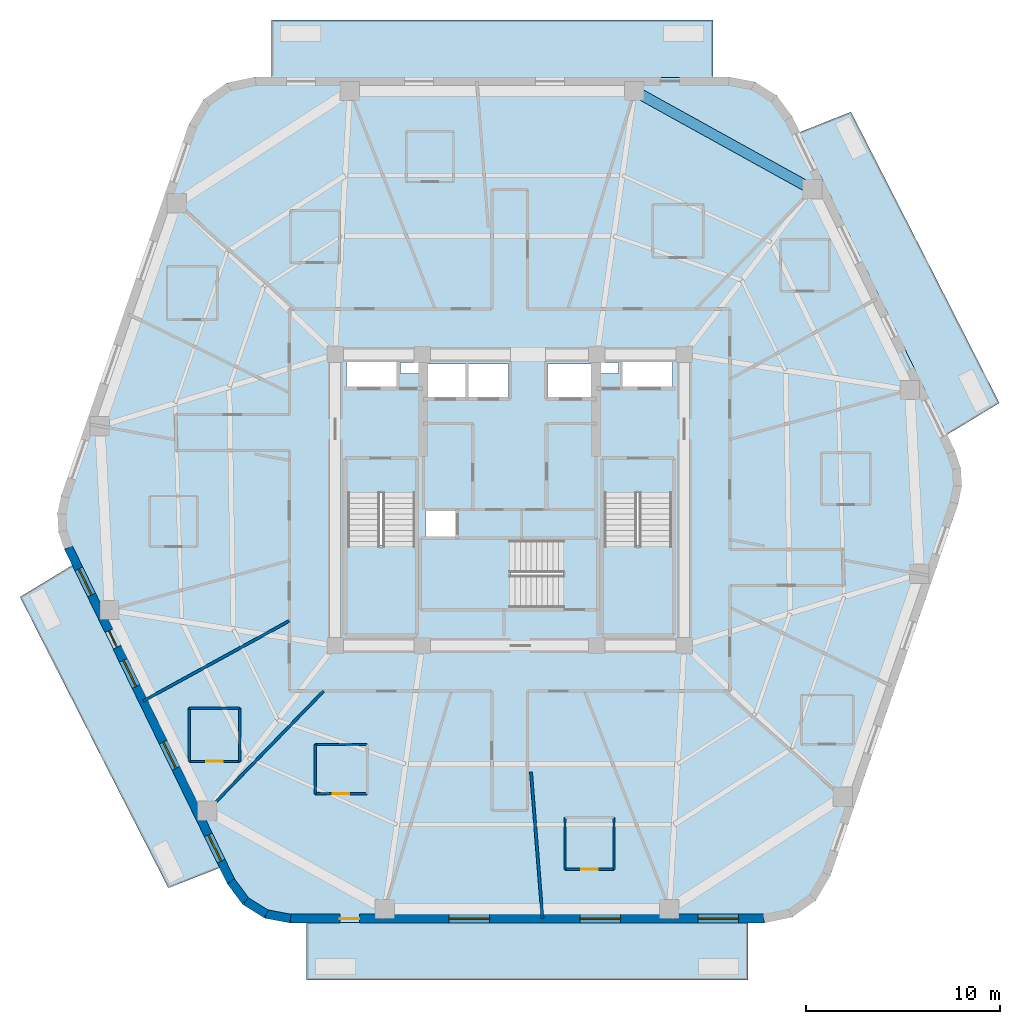
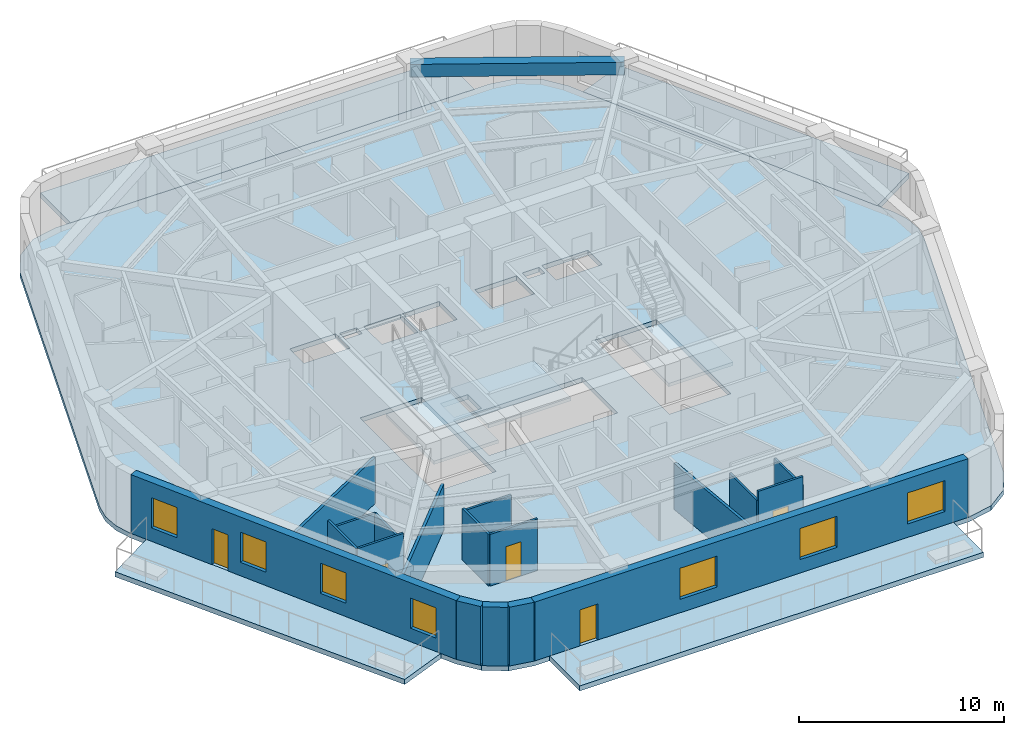
# One storey, part 2 of 10: 18 walls, 8 slabs, 7 windows, 5 doors, 1 beam, 12 openings, 3 elements without a shape of their own.
"""IFC4 building model written with IfcOpenShell, lengths in metres."""

from ifc_helpers import new_model, si_unit, direction, frame, frame_2d, origin, origin_2d, place, context, subcontext, project, spatial, polyline, rectangle, outline, extrude, material, layer, layer_set, material_profile, profile_set, type_object, element, fill, aggregate, save


model = new_model("IFC4")

# Units and contexts
model_context = context("Model", 3, precision=1e-05, world=origin(), true_north=direction((0.0, 1.0)))
body_context = subcontext(model_context, "Body", "Model", "MODEL_VIEW")
ifc_project = project(units=[si_unit("LENGTHUNIT", "METRE"), si_unit("AREAUNIT", "SQUARE_METRE"), si_unit("VOLUMEUNIT", "CUBIC_METRE"), si_unit("PLANEANGLEUNIT", "RADIAN"), si_unit("MASSUNIT", "GRAM", prefix="KILO")], contexts=[model_context])

# Site, building, storey
site_placement = place(None, origin())
site = spatial("IfcSite", under=ifc_project, at=site_placement, CompositionType="ELEMENT")
building_placement = place(site_placement, origin())
building = spatial("IfcBuilding", under=site, at=building_placement, Name="Kilnhurst Terrace Hotel", CompositionType="ELEMENT")
storey_placement = place(building_placement, frame((0.0, 0.0, 244.5)))
storey = spatial("IfcBuildingStorey", under=building, at=storey_placement, Name="L61", CompositionType="ELEMENT", Elevation=244.5)

# Beam
ifc_material_1 = material(Name="Concrete C50/60", Category="concrete")
ifc_material_profile = material_profile(ifc_material_1, rectangle(XDim=0.550048828125, YDim=0.75, at=origin_2d()), Name="RC550X750")
ifc_profile_set = profile_set([ifc_material_profile], Name="Concrete C50/60")
beam_type = type_object("IfcBeamType", Name="BM-SPN-550X750", PredefinedType="SPANDREL", material=ifc_profile_set)
beam_placement = place(storey_placement, frame((15.5869140625, 16.012939453125, 3.125), z_axis=(-0.874970333121, 0.484176534085, 0.0), x_axis=(-0.484176534085, -0.874970333121, 0.0)))
element("IfcBeam", 1, at=beam_placement, inside=storey, type_object=beam_type, Name="L61 Perimeter Spandrel Beam 6", PredefinedType="SPANDREL", context=body_context, shape_type="SweptSolid", body=[
    extrude(rectangle(XDim=0.550048828125, YDim=0.75, at=origin_2d()), origin(), (0.0, 0.0, 1.0), 10.465576171875),
])

# Slabs
ifc_layer_1 = layer(ifc_material_1, 0.300048828125, Name="Concrete C50/60")
ifc_layer_set_1 = layer_set([ifc_layer_1], Name="Concrete C50/60")
slab_type_1 = type_object("IfcSlabType", Name="SLB-BAL-300", PredefinedType="FLOOR", material=ifc_layer_set_1)
slab_1_placement = place(storey_placement, frame((0.0, 0.0, -0.300048828125)))
element("IfcSlab", 2, at=slab_1_placement, inside=storey, type_object=slab_type_1, Name="L61 Cantilevered Planted Terrace Slab BAL-L1A", PredefinedType="FLOOR", context=body_context, shape_type="SweptSolid", body=[
    extrude(outline(polyline([(21.440185546875, 12.465576171875), (25.237548828125, 5.0), (22.527587890625, 3.356201171875), (14.93505859375, 18.95068359375), (17.5888671875, 20.0), (21.440185546875, 12.465576171875)])), origin(), (0.0, 0.0, 1.0), 0.300048828125),
])
slab_2_placement = place(storey_placement, frame((0.0, 0.0, -0.300048828125)))
element("IfcSlab", 3, at=slab_2_placement, inside=storey, type_object=slab_type_1, Name="L61 Cantilevered Planted Terrace Slab BAL-L1B", PredefinedType="FLOOR", context=body_context, shape_type="SweptSolid", body=[
    extrude(outline(polyline([(-12.27490234375, 21.780029296875), (-12.27490234375, 24.739990234375), (10.46875, 24.739990234375), (10.46875, 21.780029296875), (-12.27490234375, 21.780029296875)])), origin(), (0.0, 0.0, 1.0), 0.300048828125),
])
slab_3_placement = place(storey_placement, frame((0.0, 0.0, -0.300048828125)))
element("IfcSlab", 4, at=slab_3_placement, inside=storey, type_object=slab_type_1, Name="L61 Cantilevered Planted Terrace Slab BAL-L2A", PredefinedType="FLOOR", context=body_context, shape_type="SweptSolid", body=[
    extrude(outline(polyline([(-25.237548828125, -5.0), (-22.527587890625, -3.356201171875), (-14.93505859375, -18.95068359375), (-17.5888671875, -20.0), (-21.440185546875, -12.465576171875), (-25.237548828125, -5.0)])), origin(), (0.0, 0.0, 1.0), 0.300048828125),
])
slab_4_placement = place(storey_placement, frame((0.0, 0.0, -0.300048828125)))
element("IfcSlab", 5, at=slab_4_placement, inside=storey, type_object=slab_type_1, Name="L61 Cantilevered Planted Terrace Slab BAL-L2B", PredefinedType="FLOOR", context=body_context, shape_type="SweptSolid", body=[
    extrude(outline(polyline([(12.27490234375, -21.780029296875), (12.27490234375, -24.739990234375), (-10.46875, -24.739990234375), (-10.46875, -21.780029296875), (12.27490234375, -21.780029296875)])), origin(), (0.0, 0.0, 1.0), 0.300048828125),
])
ifc_layer_2 = layer(ifc_material_1, 0.280029296875, Name="Concrete C50/60")
ifc_layer_set_2 = layer_set([ifc_layer_2], Name="Concrete C50/60")
slab_type_2 = type_object("IfcSlabType", Name="SLB-FLR-280", PredefinedType="FLOOR", material=ifc_layer_set_2)
slab_5_placement = place(storey_placement, frame((0.0, 0.0, -0.280029296875)))
element("IfcSlab", 6, at=slab_5_placement, inside=storey, type_object=slab_type_2, Name="L61 Structural Floor Slab", PredefinedType="FLOOR", context=body_context, shape_type="SweptSolid", body=[
    extrude(outline(polyline([(-14.555419921875, -19.77587890625), (-13.759765625, -20.845947265625), (-12.629150390625, -21.552978515625), (-11.318603515625, -21.800048828125), (13.124755859375, -21.800048828125), (14.5703125, -21.4970703125), (15.772705078125, -20.638916015625), (16.529296875, -19.370361328125), (23.1162109375, -0.208740234375), (23.302978515625, 0.710693359375), (23.24560546875, 1.6474609375), (22.948486328125, 2.537353515625), (14.555419921875, 19.77587890625), (13.759765625, 20.845947265625), (12.629150390625, 21.552978515625), (11.318603515625, 21.800048828125), (-13.124755859375, 21.800048828125), (-14.5703125, 21.4970703125), (-15.772705078125, 20.638916015625), (-16.529296875, 19.370361328125), (-23.1162109375, 0.208740234375), (-23.302978515625, -0.710693359375), (-23.24560546875, -1.6474609375), (-22.948486328125, -2.537353515625), (-14.555419921875, -19.77587890625)]), holes=[polyline([(-8.35009765625, 0.35498046875), (-4.8798828125, 0.35498046875), (-4.8798828125, -6.89990234375), (-8.35009765625, -6.89990234375), (-8.35009765625, 0.35498046875)]), polyline([(-2.800048828125, -1.89990234375), (-4.35009765625, -1.89990234375), (-4.35009765625, -0.550048828125), (-2.800048828125, -0.550048828125), (-2.800048828125, -1.89990234375)]), polyline([(-2.25, 5.25), (-4.300048828125, 5.25), (-4.300048828125, 7.0), (-2.25, 7.0), (-2.25, 5.25)]), polyline([(-2.1201171875, 5.25), (-2.1201171875, 7.0), (-0.050048828125, 7.0), (-0.050048828125, 5.25), (-2.1201171875, 5.25)]), polyline([(-8.39990234375, 5.75), (-8.39990234375, 7.14990234375), (-5.800048828125, 7.14990234375), (-5.800048828125, 5.75), (-8.39990234375, 5.75)]), polyline([(-4.659912109375, 6.52001953125), (-5.6201171875, 6.52001953125), (-5.6201171875, 7.080078125), (-4.659912109375, 7.080078125), (-4.659912109375, 6.52001953125)]), polyline([(2.7548828125, -5.550048828125), (-4.5, -5.550048828125), (-4.5, -2.080078125), (2.7548828125, -2.080078125), (2.7548828125, -5.550048828125)]), polyline([(8.35009765625, 0.35498046875), (8.35009765625, -6.89990234375), (4.8798828125, -6.89990234375), (4.8798828125, 0.35498046875), (8.35009765625, 0.35498046875)]), polyline([(4.300048828125, 5.25), (1.949951171875, 5.25), (1.949951171875, 7.0), (4.300048828125, 7.0), (4.300048828125, 5.25)]), polyline([(5.800048828125, 5.75), (5.800048828125, 7.14990234375), (8.39990234375, 7.14990234375), (8.39990234375, 5.75), (5.800048828125, 5.75)]), polyline([(4.659912109375, 6.52001953125), (4.659912109375, 7.080078125), (5.6201171875, 7.080078125), (5.6201171875, 6.52001953125), (4.659912109375, 6.52001953125)])]), origin(), (0.0, 0.0, 1.0), 0.280029296875),
])

# Stair, slab
stair_type = type_object("IfcStairType", Name="STR-CORE-1660", PredefinedType="HALF_TURN_STAIR", material=ifc_material_1)
stair_1_placement = place(storey_placement, origin())
stair_1 = element("IfcStair", 7, at=stair_1_placement, inside=storey, type_object=stair_type, Name="L61 ST-1", PredefinedType="HALF_TURN_STAIR")
ifc_layer_3 = layer(ifc_material_1, 0.199951171875, Name="Concrete C50/60")
ifc_layer_set_3 = layer_set([ifc_layer_3], Name="Concrete C50/60")
slab_type_3 = type_object("IfcSlabType", Name="SLB-ST-LND-200", PredefinedType="LANDING", material=ifc_layer_set_3)
slab_6_placement = place(storey_placement, frame((0.0, 0.0, 1.699951171875)))
slab_6 = element("IfcSlab", 8, at=slab_6_placement, type_object=slab_type_3, Name="ST-1 landing 1", PredefinedType="LANDING", context=body_context, shape_type="SweptSolid", body=[
    extrude(outline(polyline([(-8.429931640625, -2.330078125), (-4.800048828125, -2.330078125), (-4.800048828125, -6.97998046875), (-8.429931640625, -6.97998046875), (-8.429931640625, -2.330078125)])), origin(), (0.0, 0.0, 1.0), 0.199951171875),
])
aggregate(stair_1, [slab_6])

stair_2_placement = place(storey_placement, origin())
stair_2 = element("IfcStair", 9, at=stair_2_placement, inside=storey, type_object=stair_type, Name="L61 ST-2", PredefinedType="HALF_TURN_STAIR")
slab_7_placement = place(storey_placement, frame((0.0, 0.0, 1.699951171875)))
slab_7 = element("IfcSlab", 10, at=slab_7_placement, type_object=slab_type_3, Name="ST-2 landing 1", PredefinedType="LANDING", context=body_context, shape_type="SweptSolid", body=[
    extrude(outline(polyline([(4.800048828125, -2.330078125), (8.429931640625, -2.330078125), (8.429931640625, -6.97998046875), (4.800048828125, -6.97998046875), (4.800048828125, -2.330078125)])), origin(), (0.0, 0.0, 1.0), 0.199951171875),
])
aggregate(stair_2, [slab_7])

stair_3_placement = place(storey_placement, origin())
stair_3 = element("IfcStair", 11, at=stair_3_placement, inside=storey, type_object=stair_type, Name="L61 ST-3", PredefinedType="HALF_TURN_STAIR")
slab_8_placement = place(storey_placement, frame((0.0, 0.0, 1.699951171875)))
slab_8 = element("IfcSlab", 12, at=slab_8_placement, type_object=slab_type_3, Name="ST-3 landing 1", PredefinedType="LANDING", context=body_context, shape_type="SweptSolid", body=[
    extrude(outline(polyline([(0.070068359375, -2.0), (0.070068359375, -5.6298828125), (-4.580078125, -5.6298828125), (-4.580078125, -2.0), (0.070068359375, -2.0)])), origin(), (0.0, 0.0, 1.0), 0.199951171875),
])
aggregate(stair_3, [slab_8])

# Walls
ifc_material_2 = material(Name="Precast concrete C40/50", Category="concrete")
ifc_layer_4 = layer(ifc_material_2, 0.449951171875, Name="Precast concrete C40/50")
ifc_layer_set_4 = layer_set([ifc_layer_4], Name="Precast concrete C40/50")
wall_type_1 = type_object("IfcWallType", Name="WL-BRK-450", PredefinedType="SOLIDWALL", material=ifc_layer_set_4)
wall_1_placement = place(storey_placement, frame((-14.3623046875, -19.658447265625, 0.0), z_axis=(0.0, 0.0, 1.0), x_axis=(0.596642462792, -0.80250717853, 0.0)))
element("IfcWall", 13, at=wall_1_placement, inside=storey, type_object=wall_type_1, Name="L61 Rounded Corner Brick Wall C1.1", PredefinedType="SOLIDWALL", context=body_context, shape_type="SweptSolid", body=[
    extrude(rectangle(XDim=1.27001953125, YDim=0.449951171875, at=frame_2d((0.635009765625, 0.0))), origin(), (0.0, 0.0, 1.0), 3.5),
])
wall_2_placement = place(storey_placement, frame((-13.6044921875, -20.677734375, 0.0), z_axis=(0.0, 0.0, 1.0), x_axis=(0.847910404124, -0.53013955387, 0.0)))
element("IfcWall", 14, at=wall_2_placement, inside=storey, type_object=wall_type_1, Name="L61 Rounded Corner Brick Wall C1.2", PredefinedType="SOLIDWALL", context=body_context, shape_type="SweptSolid", body=[
    extrude(rectangle(XDim=1.24853515625, YDim=0.449951171875, at=frame_2d((0.624267578125, 0.0))), origin(), (0.0, 0.0, 1.0), 3.5),
])
wall_3_placement = place(storey_placement, frame((-12.5458984375, -21.339599609375, 0.0), z_axis=(0.0, 0.0, 1.0), x_axis=(0.982686750835, -0.18527479519, 0.0)))
element("IfcWall", 15, at=wall_3_placement, inside=storey, type_object=wall_type_1, Name="L61 Rounded Corner Brick Wall C1.3", PredefinedType="SOLIDWALL", context=body_context, shape_type="SweptSolid", body=[
    extrude(rectangle(XDim=1.270263671875, YDim=0.449951171875, at=frame_2d((0.63525390625, 0.0))), origin(), (0.0, 0.0, 1.0), 3.5),
])

# Wall, openings, door, windows
wall_4_placement = place(storey_placement, frame((-11.297607421875, -21.574951171875, 0.0), z_axis=(0.0, 0.0, 1.0), x_axis=(1.0, 0.0, 0.0)))
wall_4 = element("IfcWall", 16, at=wall_4_placement, inside=storey, type_object=wall_type_1, Name="L61 Exterior Brick Facade Wall F1", PredefinedType="SOLIDWALL", context=body_context, shape_type="SweptSolid", body=[
    extrude(rectangle(XDim=24.399169921875, YDim=0.449951171875, at=frame_2d((12.19970703125, 0.0))), origin(), (0.0, 0.0, 1.0), 3.5),
])
opening_1_placement = place(wall_4_placement, frame((2.550048828125, 0.0, 0.0)))
opening_1 = element("IfcOpeningElement", 17, at=opening_1_placement, cuts=wall_4, Name="Opening BD-1000", PredefinedType="OPENING", context=body_context, shape_type="SweptSolid", body=[
    extrude(rectangle(XDim=1.0, YDim=2.14990234375, at=frame_2d((0.5, 1.074951171875))), frame((0.0, 0.23486328125, 0.0), z_axis=(0.0, -1.0, 0.0), x_axis=(1.0, 0.0, 0.0)), (0.0, 0.0, 1.0), 0.469970703125),
])
opening_2_placement = place(wall_4_placement, frame((8.1689453125, 0.0, 0.800048828125)))
opening_2 = element("IfcOpeningElement", 18, at=opening_2_placement, cuts=wall_4, Name="Opening W-04", PredefinedType="OPENING", context=body_context, shape_type="SweptSolid", body=[
    extrude(rectangle(XDim=2.10009765625, YDim=1.85009765625, at=frame_2d((1.050048828125, 0.925048828125))), frame((0.0, 0.23486328125, 0.0), z_axis=(0.0, -1.0, 0.0), x_axis=(1.0, 0.0, 0.0)), (0.0, 0.0, 1.0), 0.469970703125),
])
opening_3_placement = place(wall_4_placement, frame((14.922119140625, 0.0, 0.800048828125)))
opening_3 = element("IfcOpeningElement", 19, at=opening_3_placement, cuts=wall_4, Name="Opening W-04", PredefinedType="OPENING", context=body_context, shape_type="SweptSolid", body=[
    extrude(rectangle(XDim=2.10009765625, YDim=1.85009765625, at=frame_2d((1.050048828125, 0.925048828125))), frame((0.0, 0.23486328125, 0.0), z_axis=(0.0, -1.0, 0.0), x_axis=(1.0, 0.0, 0.0)), (0.0, 0.0, 1.0), 0.469970703125),
])
opening_4_placement = place(wall_4_placement, frame((20.99609375, 0.0, 0.800048828125)))
opening_4 = element("IfcOpeningElement", 20, at=opening_4_placement, cuts=wall_4, Name="Opening W-04", PredefinedType="OPENING", context=body_context, shape_type="SweptSolid", body=[
    extrude(rectangle(XDim=2.10009765625, YDim=1.85009765625, at=frame_2d((1.050048828125, 0.925048828125))), frame((0.0, 0.23486328125, 0.0), z_axis=(0.0, -1.0, 0.0), x_axis=(1.0, 0.0, 0.0)), (0.0, 0.0, 1.0), 0.469970703125),
])
ifc_material_3 = material(Name="Thermally Broken Bronze Aluminium Alloy 6063-T6 and Laminated Glass", Category="aluminium")
door_type_1 = type_object("IfcDoorType", Name="DR-EXT-BAL-1000", OperationType="NOTDEFINED", PredefinedType="DOOR", material=ifc_material_3)
door_1_placement = place(opening_1_placement, origin())
door_1 = element("IfcDoor", 21, at=door_1_placement, inside=storey, type_object=door_type_1, Name="L61 Planted Balcony Door BAL-L2B", OperationType="SINGLE_SWING_LEFT", OverallHeight=2.14990234375, OverallWidth=1.0, PredefinedType="DOOR", context=body_context, shape_type="SweptSolid", body=[
    extrude(rectangle(XDim=1.0, YDim=2.14990234375, at=frame_2d((0.5, 1.074951171875))), frame((0.0, 0.02490234375, 0.0), z_axis=(0.0, -1.0, 0.0), x_axis=(1.0, 0.0, 0.0)), (0.0, 0.0, 1.0), 0.050048828125),
])
fill(opening_1, door_1)
ifc_material_4 = material(Name="Thermally Broken Bronze Aluminium Alloy 6063-T6 and Low-E Glass", Category="aluminium")
window_type_1 = type_object("IfcWindowType", Name="WIN-2100X1850", PartitioningType="SINGLE_PANEL", PredefinedType="WINDOW", material=ifc_material_4)
window_1_placement = place(opening_2_placement, origin())
window_1 = element("IfcWindow", 22, at=window_1_placement, inside=storey, type_object=window_type_1, Name="L61 Deep-Set Masonry Window F1.1", OverallHeight=1.85009765625, OverallWidth=2.10009765625, PartitioningType="SINGLE_PANEL", PredefinedType="WINDOW", context=body_context, shape_type="SweptSolid", body=[
    extrude(rectangle(XDim=2.10009765625, YDim=1.85009765625, at=frame_2d((1.050048828125, 0.925048828125))), frame((0.0, 0.030029296875, 0.0), z_axis=(0.0, -1.0, 0.0), x_axis=(1.0, 0.0, 0.0)), (0.0, 0.0, 1.0), 0.06005859375),
])
fill(opening_2, window_1)
window_2_placement = place(opening_3_placement, origin())
window_2 = element("IfcWindow", 23, at=window_2_placement, inside=storey, type_object=window_type_1, Name="L61 Deep-Set Masonry Window F1.2", OverallHeight=1.85009765625, OverallWidth=2.10009765625, PartitioningType="SINGLE_PANEL", PredefinedType="WINDOW", context=body_context, shape_type="SweptSolid", body=[
    extrude(rectangle(XDim=2.10009765625, YDim=1.85009765625, at=frame_2d((1.050048828125, 0.925048828125))), frame((0.0, 0.030029296875, 0.0), z_axis=(0.0, -1.0, 0.0), x_axis=(1.0, 0.0, 0.0)), (0.0, 0.0, 1.0), 0.06005859375),
])
fill(opening_3, window_2)
window_3_placement = place(opening_4_placement, origin())
window_3 = element("IfcWindow", 24, at=window_3_placement, inside=storey, type_object=window_type_1, Name="L61 Deep-Set Masonry Window F1.3", OverallHeight=1.85009765625, OverallWidth=2.10009765625, PartitioningType="SINGLE_PANEL", PredefinedType="WINDOW", context=body_context, shape_type="SweptSolid", body=[
    extrude(rectangle(XDim=2.10009765625, YDim=1.85009765625, at=frame_2d((1.050048828125, 0.925048828125))), frame((0.0, 0.030029296875, 0.0), z_axis=(0.0, -1.0, 0.0), x_axis=(1.0, 0.0, 0.0)), (0.0, 0.0, 1.0), 0.06005859375),
])
fill(opening_4, window_3)

wall_5_placement = place(storey_placement, frame((-22.73974609375, -2.4521484375, 0.0), z_axis=(0.0, 0.0, 1.0), x_axis=(0.437753424814, -0.899095066755, 0.0)))
wall_5 = element("IfcWall", 25, at=wall_5_placement, inside=storey, type_object=wall_type_1, Name="L61 Exterior Brick Facade Wall F6", PredefinedType="SOLIDWALL", context=body_context, shape_type="SweptSolid", body=[
    extrude(rectangle(XDim=19.137451171875, YDim=0.449951171875, at=frame_2d((9.56884765625, 0.0))), origin(), (0.0, 0.0, 1.0), 3.5),
])
opening_5_placement = place(wall_5_placement, frame((4.762939453125, 0.0, 0.0)))
opening_5 = element("IfcOpeningElement", 26, at=opening_5_placement, cuts=wall_5, Name="Opening BD-950", PredefinedType="OPENING", context=body_context, shape_type="SweptSolid", body=[
    extrude(rectangle(XDim=0.949951171875, YDim=2.14990234375, at=frame_2d((0.47509765625, 1.074951171875))), frame((0.0, 0.23486328125, 0.0), z_axis=(0.0, -1.0, 0.0), x_axis=(1.0, 0.0, 0.0)), (0.0, 0.0, 1.0), 0.469970703125),
])
opening_6_placement = place(wall_5_placement, frame((1.216064453125, 0.0, 0.800048828125)))
opening_6 = element("IfcOpeningElement", 27, at=opening_6_placement, cuts=wall_5, Name="Opening W-02", PredefinedType="OPENING", context=body_context, shape_type="SweptSolid", body=[
    extrude(rectangle(XDim=1.5, YDim=1.800048828125, at=frame_2d((0.75, 0.89990234375))), frame((0.0, 0.23486328125, 0.0), z_axis=(0.0, -1.0, 0.0), x_axis=(1.0, 0.0, 0.0)), (0.0, 0.0, 1.0), 0.469970703125),
])
opening_7_placement = place(wall_5_placement, frame((6.4609375, 0.0, 0.800048828125)))
opening_7 = element("IfcOpeningElement", 28, at=opening_7_placement, cuts=wall_5, Name="Opening W-02", PredefinedType="OPENING", context=body_context, shape_type="SweptSolid", body=[
    extrude(rectangle(XDim=1.5, YDim=1.800048828125, at=frame_2d((0.75, 0.89990234375))), frame((0.0, 0.23486328125, 0.0), z_axis=(0.0, -1.0, 0.0), x_axis=(1.0, 0.0, 0.0)), (0.0, 0.0, 1.0), 0.469970703125),
])
opening_8_placement = place(wall_5_placement, frame((11.156005859375, 0.0, 0.800048828125)))
opening_8 = element("IfcOpeningElement", 29, at=opening_8_placement, cuts=wall_5, Name="Opening W-02", PredefinedType="OPENING", context=body_context, shape_type="SweptSolid", body=[
    extrude(rectangle(XDim=1.5, YDim=1.800048828125, at=frame_2d((0.75, 0.89990234375))), frame((0.0, 0.23486328125, 0.0), z_axis=(0.0, -1.0, 0.0), x_axis=(1.0, 0.0, 0.0)), (0.0, 0.0, 1.0), 0.469970703125),
])
opening_9_placement = place(wall_5_placement, frame((16.472900390625, 0.0, 0.800048828125)))
opening_9 = element("IfcOpeningElement", 30, at=opening_9_placement, cuts=wall_5, Name="Opening W-02", PredefinedType="OPENING", context=body_context, shape_type="SweptSolid", body=[
    extrude(rectangle(XDim=1.5, YDim=1.800048828125, at=frame_2d((0.75, 0.89990234375))), frame((0.0, 0.23486328125, 0.0), z_axis=(0.0, -1.0, 0.0), x_axis=(1.0, 0.0, 0.0)), (0.0, 0.0, 1.0), 0.469970703125),
])
door_type_2 = type_object("IfcDoorType", Name="DR-EXT-BAL-950", OperationType="NOTDEFINED", PredefinedType="DOOR", material=ifc_material_3)
door_2_placement = place(opening_5_placement, origin())
door_2 = element("IfcDoor", 31, at=door_2_placement, inside=storey, type_object=door_type_2, Name="L61 Planted Balcony Door BAL-L2A", OperationType="SINGLE_SWING_RIGHT", OverallHeight=2.14990234375, OverallWidth=0.949951171875, PredefinedType="DOOR", context=body_context, shape_type="SweptSolid", body=[
    extrude(rectangle(XDim=0.949951171875, YDim=2.14990234375, at=frame_2d((0.47509765625, 1.074951171875))), frame((0.0, 0.02490234375, 0.0), z_axis=(0.0, -1.0, 0.0), x_axis=(1.0, 0.0, 0.0)), (0.0, 0.0, 1.0), 0.050048828125),
])
fill(opening_5, door_2)
window_type_2 = type_object("IfcWindowType", Name="WIN-1500X1800", PartitioningType="SINGLE_PANEL", PredefinedType="WINDOW", material=ifc_material_4)
window_4_placement = place(opening_6_placement, origin())
window_4 = element("IfcWindow", 32, at=window_4_placement, inside=storey, type_object=window_type_2, Name="L61 Deep-Set Masonry Window F6.1", OverallHeight=1.800048828125, OverallWidth=1.5, PartitioningType="SINGLE_PANEL", PredefinedType="WINDOW", context=body_context, shape_type="SweptSolid", body=[
    extrude(rectangle(XDim=1.5, YDim=1.800048828125, at=frame_2d((0.75, 0.89990234375))), frame((0.0, 0.030029296875, 0.0), z_axis=(0.0, -1.0, 0.0), x_axis=(1.0, 0.0, 0.0)), (0.0, 0.0, 1.0), 0.06005859375),
])
fill(opening_6, window_4)
window_5_placement = place(opening_7_placement, origin())
window_5 = element("IfcWindow", 33, at=window_5_placement, inside=storey, type_object=window_type_2, Name="L61 Deep-Set Masonry Window F6.2", OverallHeight=1.800048828125, OverallWidth=1.5, PartitioningType="SINGLE_PANEL", PredefinedType="WINDOW", context=body_context, shape_type="SweptSolid", body=[
    extrude(rectangle(XDim=1.5, YDim=1.800048828125, at=frame_2d((0.75, 0.89990234375))), frame((0.0, 0.030029296875, 0.0), z_axis=(0.0, -1.0, 0.0), x_axis=(1.0, 0.0, 0.0)), (0.0, 0.0, 1.0), 0.06005859375),
])
fill(opening_7, window_5)
window_6_placement = place(opening_8_placement, origin())
window_6 = element("IfcWindow", 34, at=window_6_placement, inside=storey, type_object=window_type_2, Name="L61 Deep-Set Masonry Window F6.3", OverallHeight=1.800048828125, OverallWidth=1.5, PartitioningType="SINGLE_PANEL", PredefinedType="WINDOW", context=body_context, shape_type="SweptSolid", body=[
    extrude(rectangle(XDim=1.5, YDim=1.800048828125, at=frame_2d((0.75, 0.89990234375))), frame((0.0, 0.030029296875, 0.0), z_axis=(0.0, -1.0, 0.0), x_axis=(1.0, 0.0, 0.0)), (0.0, 0.0, 1.0), 0.06005859375),
])
fill(opening_8, window_6)
window_7_placement = place(opening_9_placement, origin())
window_7 = element("IfcWindow", 35, at=window_7_placement, inside=storey, type_object=window_type_2, Name="L61 Deep-Set Masonry Window F6.4", OverallHeight=1.800048828125, OverallWidth=1.5, PartitioningType="SINGLE_PANEL", PredefinedType="WINDOW", context=body_context, shape_type="SweptSolid", body=[
    extrude(rectangle(XDim=1.5, YDim=1.800048828125, at=frame_2d((0.75, 0.89990234375))), frame((0.0, 0.030029296875, 0.0), z_axis=(0.0, -1.0, 0.0), x_axis=(1.0, 0.0, 0.0)), (0.0, 0.0, 1.0), 0.06005859375),
])
fill(opening_9, window_7)

# Walls
ifc_material_5 = material(Name="STC-58 Acoustic Twin-Frame Guestroom Demising Partition")
ifc_layer_5 = layer(ifc_material_5, 0.14990234375, Name="STC-58 Acoustic Twin-Frame Guestroom Demising Partition")
ifc_layer_set_5 = layer_set([ifc_layer_5], Name="STC-58 Acoustic Twin-Frame Guestroom Demising Partition")
wall_type_2 = type_object("IfcWallType", Name="WL-DEM-150", PredefinedType="PARTITIONING", material=ifc_layer_set_5)
wall_6_placement = place(storey_placement, frame((-11.35009765625, -6.2265625, 0.0), z_axis=(0.0, 0.0, 1.0), x_axis=(-0.876723190824, -0.480995266786, 0.0)))
element("IfcWall", 36, at=wall_6_placement, inside=storey, type_object=wall_type_2, Name="L61 Interior Wall WL-L61-DEM-MID07-11-1", PredefinedType="PARTITIONING", context=body_context, shape_type="SweptSolid", body=[
    extrude(rectangle(XDim=8.598388671875, YDim=0.14990234375, at=frame_2d((4.29931640625, 0.0))), origin(), (0.0, 0.0, 1.0), 2.739990234375),
])
wall_7_placement = place(storey_placement, frame((-9.587890625, -9.85009765625, 0.0), z_axis=(0.0, 0.0, 1.0), x_axis=(-0.697519469595, -0.716565830567, 0.0)))
element("IfcWall", 37, at=wall_7_placement, inside=storey, type_object=wall_type_2, Name="L61 Interior Wall WL-L61-DEM-COL08-12-1", PredefinedType="PARTITIONING", context=body_context, shape_type="SweptSolid", body=[
    extrude(rectangle(XDim=9.12646484375, YDim=0.14990234375, at=frame_2d((4.563232421875, 0.0))), origin(), (0.0, 0.0, 1.0), 2.739990234375),
])
wall_8_placement = place(storey_placement, frame((1.10009765625, -14.017578125, 0.0), z_axis=(0.0, 0.0, 1.0), x_axis=(0.078228275349, -0.996935472804, 0.0)))
element("IfcWall", 38, at=wall_8_placement, inside=storey, type_object=wall_type_2, Name="L61 Interior Wall WL-L61-DEM-MID09-14-1", PredefinedType="PARTITIONING", context=body_context, shape_type="SweptSolid", body=[
    extrude(rectangle(XDim=7.58056640625, YDim=0.14990234375, at=frame_2d((3.790283203125, 0.0))), origin(), (0.0, 0.0, 1.0), 2.739990234375),
])

# Wall, opening, door
ifc_material_6 = material(Name="120 mm Moisture-Resistant Tile-Backed Bathroom Partition")
ifc_layer_6 = layer(ifc_material_6, 0.1201171875, Name="120 mm Moisture-Resistant Tile-Backed Bathroom Partition")
ifc_layer_set_6 = layer_set([ifc_layer_6], Name="120 mm Moisture-Resistant Tile-Backed Bathroom Partition")
wall_type_3 = type_object("IfcWallType", Name="WL-PART-120", PredefinedType="PARTITIONING", material=ifc_layer_set_6)
wall_9_placement = place(storey_placement, frame((-16.51806640625, -13.47705078125, 0.0), z_axis=(0.0, 0.0, 1.0), x_axis=(1.0, 0.0, 0.0)))
wall_9 = element("IfcWall", 39, at=wall_9_placement, inside=storey, type_object=wall_type_3, Name="L61 Interior Wall WL-L61-BTH-11-1", PredefinedType="PARTITIONING", context=body_context, shape_type="SweptSolid", body=[
    extrude(rectangle(XDim=2.60009765625, YDim=0.1201171875, at=frame_2d((1.300048828125, 0.0))), origin(), (0.0, 0.0, 1.0), 3.5),
])
opening_10_placement = place(wall_9_placement, frame((0.875, 0.0, 0.0)))
opening_10 = element("IfcOpeningElement", 40, at=opening_10_placement, cuts=wall_9, Name="Opening D-08A", PredefinedType="OPENING", context=body_context, shape_type="SweptSolid", body=[
    extrude(rectangle(XDim=0.85009765625, YDim=2.030029296875, at=frame_2d((0.425048828125, 1.01513671875))), frame((0.0, 0.070068359375, 0.0), z_axis=(0.0, -1.0, 0.0), x_axis=(1.0, 0.0, 0.0)), (0.0, 0.0, 1.0), 0.14013671875),
])
ifc_material_7 = material(Name="Moisture-Resistant Lacquered En-suite Bathroom Door")
door_type_3 = type_object("IfcDoorType", Name="DR-INT-850", OperationType="NOTDEFINED", PredefinedType="DOOR", material=ifc_material_7)
door_3_placement = place(opening_10_placement, origin())
door_3 = element("IfcDoor", 41, at=door_3_placement, inside=storey, type_object=door_type_3, Name="L61 En-suite Bathroom Door 11", OperationType="SINGLE_SWING_RIGHT", OverallHeight=2.030029296875, OverallWidth=0.85009765625, PredefinedType="DOOR", context=body_context, shape_type="SweptSolid", body=[
    extrude(rectangle(XDim=0.85009765625, YDim=2.030029296875, at=frame_2d((0.425048828125, 1.01513671875))), frame((0.0, 0.02490234375, 0.0), z_axis=(0.0, -1.0, 0.0), x_axis=(1.0, 0.0, 0.0)), (0.0, 0.0, 1.0), 0.050048828125),
])
fill(opening_10, door_3)

# Walls
wall_10_placement = place(storey_placement, frame((-13.91796875, -13.47705078125, 0.0), z_axis=(0.0, 0.0, 1.0), x_axis=(0.0, 1.0, 0.0)))
element("IfcWall", 42, at=wall_10_placement, inside=storey, type_object=wall_type_3, Name="L61 Interior Wall WL-L61-BTH-11-2", PredefinedType="PARTITIONING", context=body_context, shape_type="SweptSolid", body=[
    extrude(rectangle(XDim=2.75, YDim=0.1201171875, at=frame_2d((1.375, 0.0))), origin(), (0.0, 0.0, 1.0), 3.026611328125),
])
wall_11_placement = place(storey_placement, frame((-13.91796875, -10.72705078125, 0.0), z_axis=(0.0, 0.0, 1.0), x_axis=(-1.0, 0.0, 0.0)))
element("IfcWall", 43, at=wall_11_placement, inside=storey, type_object=wall_type_3, Name="L61 Interior Wall WL-L61-BTH-11-3", PredefinedType="PARTITIONING", context=body_context, shape_type="SweptSolid", body=[
    extrude(rectangle(XDim=2.60009765625, YDim=0.1201171875, at=frame_2d((1.300048828125, 0.0))), origin(), (0.0, 0.0, 1.0), 3.026611328125),
])
wall_12_placement = place(storey_placement, frame((-16.51806640625, -10.72705078125, 0.0), z_axis=(0.0, 0.0, 1.0), x_axis=(0.0, -1.0, 0.0)))
element("IfcWall", 44, at=wall_12_placement, inside=storey, type_object=wall_type_3, Name="L61 Interior Wall WL-L61-BTH-11-4", PredefinedType="PARTITIONING", context=body_context, shape_type="SweptSolid", body=[
    extrude(rectangle(XDim=2.75, YDim=0.1201171875, at=frame_2d((1.375, 0.0))), origin(), (0.0, 0.0, 1.0), 3.5),
])

# Wall, opening, door
wall_13_placement = place(storey_placement, frame((-10.02294921875, -15.14208984375, 0.0), z_axis=(0.0, 0.0, 1.0), x_axis=(1.0, 0.0, 0.0)))
wall_13 = element("IfcWall", 45, at=wall_13_placement, inside=storey, type_object=wall_type_3, Name="L61 Interior Wall WL-L61-BTH-12-1", PredefinedType="PARTITIONING", context=body_context, shape_type="SweptSolid", body=[
    extrude(rectangle(XDim=2.679931640625, YDim=0.1201171875, at=frame_2d((1.33984375, 0.0))), origin(), (0.0, 0.0, 1.0), 3.072509765625),
])
opening_11_placement = place(wall_13_placement, frame((0.9150390625, 0.0, 0.0)))
opening_11 = element("IfcOpeningElement", 46, at=opening_11_placement, cuts=wall_13, Name="Opening D-08A", PredefinedType="OPENING", context=body_context, shape_type="SweptSolid", body=[
    extrude(rectangle(XDim=0.85009765625, YDim=2.030029296875, at=frame_2d((0.425048828125, 1.01513671875))), frame((0.0, 0.070068359375, 0.0), z_axis=(0.0, -1.0, 0.0), x_axis=(1.0, 0.0, 0.0)), (0.0, 0.0, 1.0), 0.14013671875),
])
door_4_placement = place(opening_11_placement, origin())
door_4 = element("IfcDoor", 47, at=door_4_placement, inside=storey, type_object=door_type_3, Name="L61 En-suite Bathroom Door 12", OperationType="SINGLE_SWING_LEFT", OverallHeight=2.030029296875, OverallWidth=0.85009765625, PredefinedType="DOOR", context=body_context, shape_type="SweptSolid", body=[
    extrude(rectangle(XDim=0.85009765625, YDim=2.030029296875, at=frame_2d((0.425048828125, 1.01513671875))), frame((0.0, 0.02490234375, 0.0), z_axis=(0.0, -1.0, 0.0), x_axis=(1.0, 0.0, 0.0)), (0.0, 0.0, 1.0), 0.050048828125),
])
fill(opening_11, door_4)

# Walls
wall_14_placement = place(storey_placement, frame((-7.343017578125, -12.60205078125, 0.0), z_axis=(0.0, 0.0, 1.0), x_axis=(-1.0, 0.0, 0.0)))
element("IfcWall", 48, at=wall_14_placement, inside=storey, type_object=wall_type_3, Name="L61 Interior Wall WL-L61-BTH-12-3", PredefinedType="PARTITIONING", context=body_context, shape_type="SweptSolid", body=[
    extrude(rectangle(XDim=2.679931640625, YDim=0.1201171875, at=frame_2d((1.33984375, 0.0))), origin(), (0.0, 0.0, 1.0), 2.9404296875),
])
wall_15_placement = place(storey_placement, frame((-10.02294921875, -12.60205078125, 0.0), z_axis=(0.0, 0.0, 1.0), x_axis=(0.0, -1.0, 0.0)))
element("IfcWall", 49, at=wall_15_placement, inside=storey, type_object=wall_type_3, Name="L61 Interior Wall WL-L61-BTH-12-4", PredefinedType="PARTITIONING", context=body_context, shape_type="SweptSolid", body=[
    extrude(rectangle(XDim=2.5400390625, YDim=0.1201171875, at=frame_2d((1.27001953125, 0.0))), origin(), (0.0, 0.0, 1.0), 3.072509765625),
])

# Wall, opening, door
wall_16_placement = place(storey_placement, frame((2.85400390625, -19.037109375, 0.0), z_axis=(0.0, 0.0, 1.0), x_axis=(1.0, 0.0, 0.0)))
wall_16 = element("IfcWall", 50, at=wall_16_placement, inside=storey, type_object=wall_type_3, Name="L61 Interior Wall WL-L61-BTH-14-1", PredefinedType="PARTITIONING", context=body_context, shape_type="SweptSolid", body=[
    extrude(rectangle(XDim=2.52001953125, YDim=0.1201171875, at=frame_2d((1.260009765625, 0.0))), origin(), (0.0, 0.0, 1.0), 3.5),
])
opening_12_placement = place(wall_16_placement, frame((0.8349609375, 0.0, 0.0)))
opening_12 = element("IfcOpeningElement", 51, at=opening_12_placement, cuts=wall_16, Name="Opening D-08A", PredefinedType="OPENING", context=body_context, shape_type="SweptSolid", body=[
    extrude(rectangle(XDim=0.85009765625, YDim=2.030029296875, at=frame_2d((0.425048828125, 1.01513671875))), frame((0.0, 0.070068359375, 0.0), z_axis=(0.0, -1.0, 0.0), x_axis=(1.0, 0.0, 0.0)), (0.0, 0.0, 1.0), 0.14013671875),
])
door_5_placement = place(opening_12_placement, origin())
door_5 = element("IfcDoor", 52, at=door_5_placement, inside=storey, type_object=door_type_3, Name="L61 En-suite Bathroom Door 14", OperationType="SINGLE_SWING_LEFT", OverallHeight=2.030029296875, OverallWidth=0.85009765625, PredefinedType="DOOR", context=body_context, shape_type="SweptSolid", body=[
    extrude(rectangle(XDim=0.85009765625, YDim=2.030029296875, at=frame_2d((0.425048828125, 1.01513671875))), frame((0.0, 0.02490234375, 0.0), z_axis=(0.0, -1.0, 0.0), x_axis=(1.0, 0.0, 0.0)), (0.0, 0.0, 1.0), 0.050048828125),
])
fill(opening_12, door_5)

# Walls
for number, where, z_axis, x_axis, name in (
    (53, (5.3740234375, -19.037109375, 0.0), (0.0, 0.0, 1.0), (0.0, 1.0, 0.0), "L61 Interior Wall WL-L61-BTH-14-2"),
    (54, (2.85400390625, -16.35693359375, 0.0), (0.0, 0.0, 1.0), (0.0, -1.0, 0.0), "L61 Interior Wall WL-L61-BTH-14-4"),
):
    element("IfcWall", number, at=place(storey_placement, frame(where, z_axis=z_axis, x_axis=x_axis)), inside=storey, type_object=wall_type_3, Name=name, PredefinedType="PARTITIONING", context=body_context, shape_type="SweptSolid", body=[
        extrude(rectangle(XDim=2.68017578125, YDim=0.1201171875, at=frame_2d((1.340087890625, 0.0))), origin(), (0.0, 0.0, 1.0), 2.9404296875),
    ])

save(model, "model.ifc")
